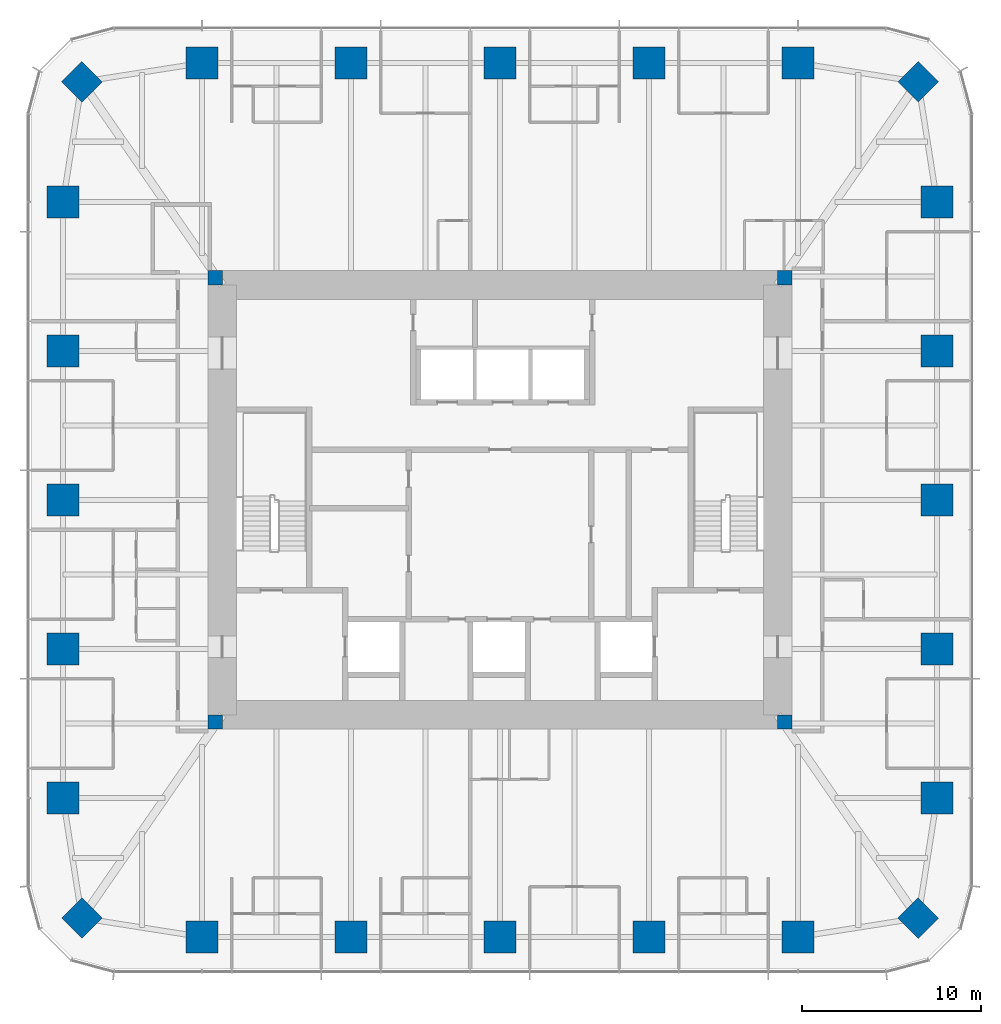
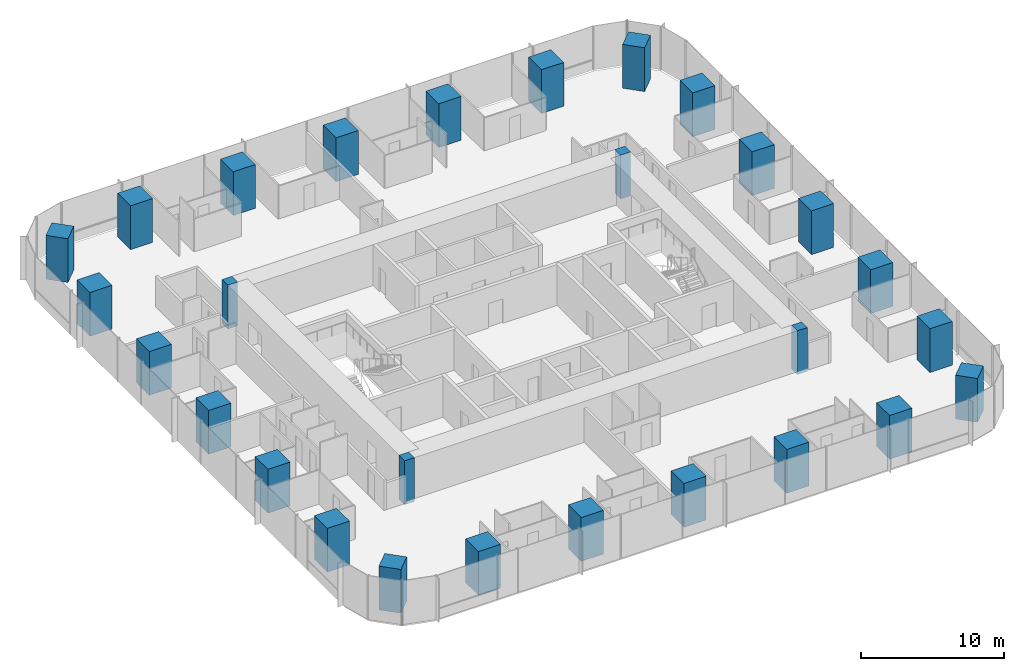
# One storey, part 1 of 12: 28 columns.
"""IFC4 building model written with IfcOpenShell, lengths in metres."""

from ifc_helpers import new_model, si_unit, direction, frame, origin, origin_2d, place, context, subcontext, project, spatial, rectangle, extrude, material, material_profile, profile_set, type_object, element, save


model = new_model("IFC4")

# Units and contexts
model_context = context("Model", 3, precision=1e-05, world=origin(), true_north=direction((0.0, 1.0)))
body_context = subcontext(model_context, "Body", "Model", "MODEL_VIEW")
ifc_project = project(units=[si_unit("LENGTHUNIT", "METRE"), si_unit("AREAUNIT", "SQUARE_METRE"), si_unit("VOLUMEUNIT", "CUBIC_METRE"), si_unit("PLANEANGLEUNIT", "RADIAN"), si_unit("MASSUNIT", "GRAM", prefix="KILO")], contexts=[model_context])

# Site, building, storey
site_placement = place(None, origin())
site = spatial("IfcSite", under=ifc_project, at=site_placement, CompositionType="ELEMENT")
building_placement = place(site_placement, origin())
building = spatial("IfcBuilding", under=site, at=building_placement, Name="Khuree Lantern Residences", CompositionType="ELEMENT")
storey_placement = place(building_placement, frame((0.0, 0.0, 218.25)))
storey = spatial("IfcBuildingStorey", under=building, at=storey_placement, Name="L54", CompositionType="ELEMENT", Elevation=218.25)

# Columns
ifc_material_1 = material(Name="Concrete C70/85", Category="concrete")
ifc_material_profile_1 = material_profile(ifc_material_1, rectangle(XDim=1.60009765625, YDim=1.60009765625, at=origin_2d()), Name="RC 1600X1600")
ifc_profile_set_1 = profile_set([ifc_material_profile_1], Name="Concrete C70/85")
column_type_1 = type_object("IfcColumnType", Name="CC1600A PERIMETER CORNER COLUMN RC 1600X1600", PredefinedType="COLUMN", material=ifc_profile_set_1)
for number, where, z_axis, x_axis, name in (
    (1, (23.345703125, 23.345703125, 0.0), (0.0, 0.0, 1.0), (0.707106781187, -0.707106781187, 0.0), "Perimeter column NE"),
    (2, (23.345703125, -23.345703125, 0.0), (0.0, 0.0, 1.0), (0.707106781187, 0.707106781187, 0.0), "Perimeter column SE"),
    (3, (-23.345703125, -23.345703125, 0.0), (0.0, 0.0, 1.0), (0.707106781187, -0.707106781187, 0.0), "Perimeter column SW"),
    (4, (-23.345703125, 23.345703125, 0.0), (0.0, 0.0, 1.0), (0.707106781187, 0.707106781187, 0.0), "Perimeter column NW"),
):
    element("IfcColumn", number, at=place(storey_placement, frame(where, z_axis=z_axis, x_axis=x_axis)), inside=storey, type_object=column_type_1, Name=name, PredefinedType="COLUMN", context=body_context, shape_type="SweptSolid", body=[
        extrude(rectangle(XDim=1.60009765625, YDim=1.60009765625, at=origin_2d()), origin(), (0.0, 0.0, 1.0), 3.75),
    ])
ifc_material_2 = material(Name="Concrete C50/60", Category="concrete")
ifc_material_profile_2 = material_profile(ifc_material_2, rectangle(XDim=0.800048828125, YDim=0.800048828125, at=origin_2d()), Name="RC 800X800")
ifc_profile_set_2 = profile_set([ifc_material_profile_2], Name="Concrete C50/60")
column_type_2 = type_object("IfcColumnType", Name="CP800-C50 CORE CORNER PIER C50 RC 800X800", PredefinedType="COLUMN", material=ifc_profile_set_2)
for number, where, z_axis, x_axis, name in (
    (5, (15.89990234375, 12.39990234375, -0.25), (0.0, 0.0, 1.0), (1.0, 0.0, 0.0), "Core corner pier NE"),
    (6, (-15.89990234375, 12.39990234375, -0.25), (0.0, 0.0, 1.0), (1.0, 0.0, 0.0), "Core corner pier NW"),
    (7, (-15.89990234375, -12.39990234375, -0.25), (0.0, 0.0, 1.0), (1.0, 0.0, 0.0), "Core corner pier SW"),
    (8, (15.89990234375, -12.39990234375, -0.25), (0.0, 0.0, 1.0), (1.0, 0.0, 0.0), "Core corner pier SE"),
):
    element("IfcColumn", number, at=place(storey_placement, frame(where, z_axis=z_axis, x_axis=x_axis)), inside=storey, type_object=column_type_2, Name=name, PredefinedType="COLUMN", context=body_context, shape_type="SweptSolid", body=[
        extrude(rectangle(XDim=0.800048828125, YDim=0.800048828125, at=origin_2d()), origin(), (0.0, 0.0, 1.0), 3.75),
    ])
ifc_material_profile_3 = material_profile(ifc_material_1, rectangle(XDim=1.800048828125, YDim=1.800048828125, at=origin_2d()), Name="RC 1800X1800")
ifc_profile_set_3 = profile_set([ifc_material_profile_3], Name="Concrete C70/85")
column_type_3 = type_object("IfcColumnType", Name="PC4 PERIMETER COLUMN RC 1800X1800", PredefinedType="COLUMN", material=ifc_profile_set_3)
for number, where, z_axis, x_axis, name in (
    (9, (-16.639892578125, 24.39990234375, 0.0), (0.0, 0.0, 1.0), (1.0, 0.0, 0.0), "Perimeter column N1"),
    (10, (-8.320068359375, 24.39990234375, 0.0), (0.0, 0.0, 1.0), (1.0, 0.0, 0.0), "Perimeter column N2"),
    (11, (0.0, 24.39990234375, 0.0), (0.0, 0.0, 1.0), (1.0, 0.0, 0.0), "Perimeter column N3"),
    (12, (8.320068359375, 24.39990234375, 0.0), (0.0, 0.0, 1.0), (1.0, 0.0, 0.0), "Perimeter column N4"),
    (13, (16.639892578125, 24.39990234375, 0.0), (0.0, 0.0, 1.0), (1.0, 0.0, 0.0), "Perimeter column N5"),
    (14, (24.39990234375, 16.639892578125, 0.0), (0.0, 0.0, 1.0), (0.0, 1.0, 0.0), "Perimeter column E1"),
    (15, (24.39990234375, 8.320068359375, 0.0), (0.0, 0.0, 1.0), (0.0, 1.0, 0.0), "Perimeter column E2"),
    (16, (24.39990234375, 0.0, 0.0), (0.0, 0.0, 1.0), (0.0, 1.0, 0.0), "Perimeter column E3"),
    (17, (24.39990234375, -8.320068359375, 0.0), (0.0, 0.0, 1.0), (0.0, 1.0, 0.0), "Perimeter column E4"),
    (18, (24.39990234375, -16.639892578125, 0.0), (0.0, 0.0, 1.0), (0.0, 1.0, 0.0), "Perimeter column E5"),
    (19, (16.639892578125, -24.39990234375, 0.0), (0.0, 0.0, 1.0), (1.0, 0.0, 0.0), "Perimeter column S1"),
    (20, (8.320068359375, -24.39990234375, 0.0), (0.0, 0.0, 1.0), (1.0, 0.0, 0.0), "Perimeter column S2"),
    (21, (0.0, -24.39990234375, 0.0), (0.0, 0.0, 1.0), (1.0, 0.0, 0.0), "Perimeter column S3"),
    (22, (-8.320068359375, -24.39990234375, 0.0), (0.0, 0.0, 1.0), (1.0, 0.0, 0.0), "Perimeter column S4"),
    (23, (-16.639892578125, -24.39990234375, 0.0), (0.0, 0.0, 1.0), (1.0, 0.0, 0.0), "Perimeter column S5"),
    (24, (-24.39990234375, -16.639892578125, 0.0), (0.0, 0.0, 1.0), (0.0, 1.0, 0.0), "Perimeter column W1"),
    (25, (-24.39990234375, -8.320068359375, 0.0), (0.0, 0.0, 1.0), (0.0, 1.0, 0.0), "Perimeter column W2"),
    (26, (-24.39990234375, 0.0, 0.0), (0.0, 0.0, 1.0), (0.0, 1.0, 0.0), "Perimeter column W3"),
    (27, (-24.39990234375, 8.320068359375, 0.0), (0.0, 0.0, 1.0), (0.0, 1.0, 0.0), "Perimeter column W4"),
    (28, (-24.39990234375, 16.639892578125, 0.0), (0.0, 0.0, 1.0), (0.0, 1.0, 0.0), "Perimeter column W5"),
):
    element("IfcColumn", number, at=place(storey_placement, frame(where, z_axis=z_axis, x_axis=x_axis)), inside=storey, type_object=column_type_3, Name=name, PredefinedType="COLUMN", context=body_context, shape_type="SweptSolid", body=[
        extrude(rectangle(XDim=1.800048828125, YDim=1.800048828125, at=origin_2d()), origin(), (0.0, 0.0, 1.0), 3.75),
    ])

save(model, "model.ifc")
